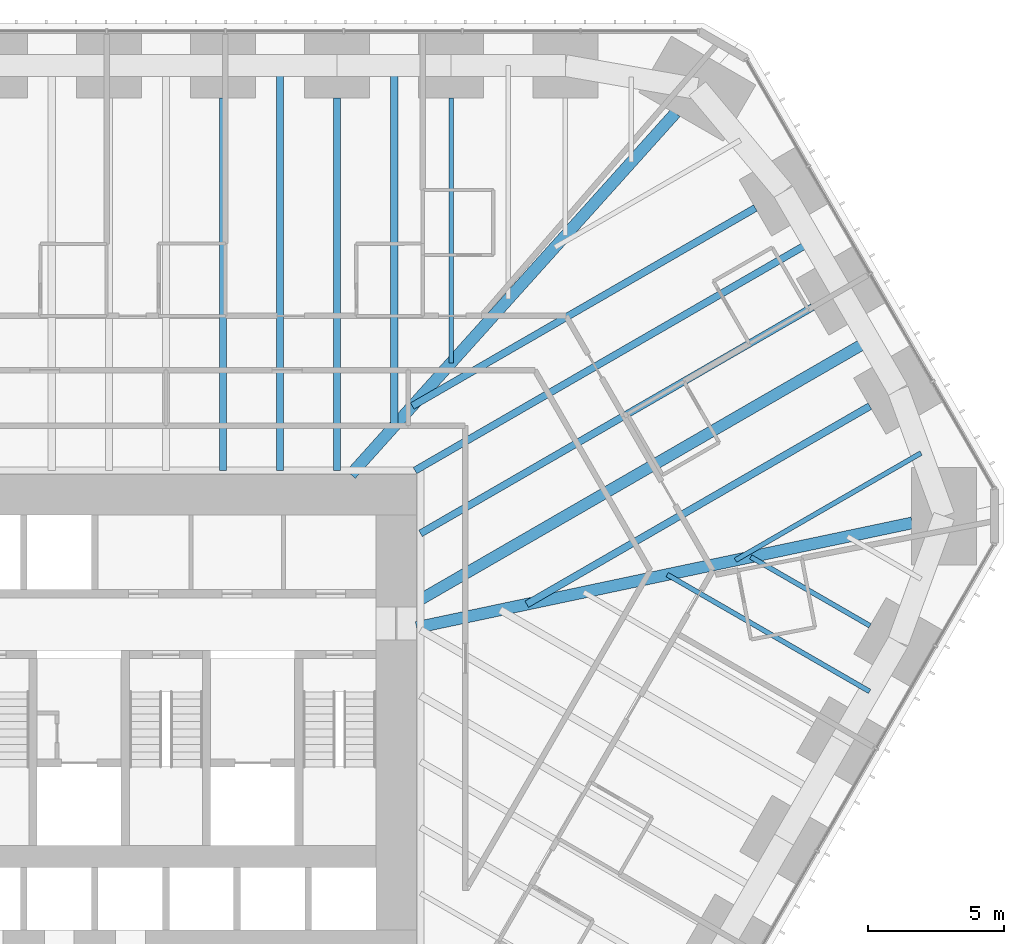
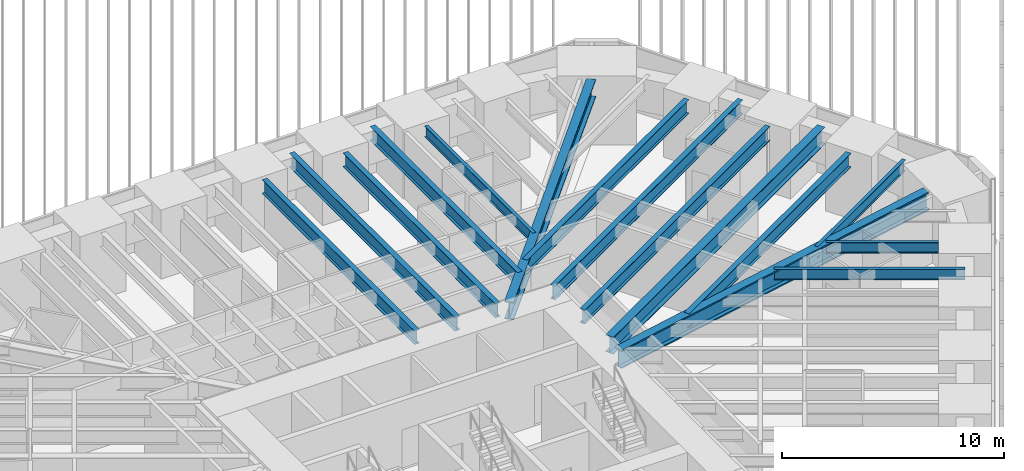
# One storey, part 192 of 256: 15 beams.
"""IFC4 building model written with IfcOpenShell, lengths in metres."""

from ifc_helpers import new_model, si_unit, direction, frame, origin, origin_2d, place, context, subcontext, project, spatial, i_section, extrude, material, material_profile, profile_set, type_object, element, save


model = new_model("IFC4")

# Units and contexts
model_context = context("Model", 3, precision=1e-05, world=origin(), true_north=direction((0.0, 1.0)))
body_context = subcontext(model_context, "Body", "Model", "MODEL_VIEW")
ifc_project = project(units=[si_unit("LENGTHUNIT", "METRE"), si_unit("AREAUNIT", "SQUARE_METRE"), si_unit("VOLUMEUNIT", "CUBIC_METRE"), si_unit("PLANEANGLEUNIT", "RADIAN"), si_unit("MASSUNIT", "GRAM", prefix="KILO")], contexts=[model_context])

# Site, building, storey
site_placement = place(None, origin())
site = spatial("IfcSite", under=ifc_project, at=site_placement, CompositionType="ELEMENT")
building_placement = place(site_placement, origin())
building = spatial("IfcBuilding", under=site, at=building_placement, Name="Sandreach Pilgrim Tower", CompositionType="ELEMENT")
storey_placement = place(building_placement, frame((0.0, 0.0, 23.0)))
storey = spatial("IfcBuildingStorey", under=building, at=storey_placement, Name="L04", CompositionType="ELEMENT", Elevation=23.0)

# Beams
ifc_material_1 = material(Name="Steel ASTM A992 Grade 50", Category="steel")
ifc_material_profile_1 = material_profile(ifc_material_1, i_section(OverallWidth=0.431884765625, OverallDepth=0.988037109375, WebThickness=0.034423828125, FlangeThickness=0.06201171875, at=origin_2d()), Name="W36X441")
ifc_profile_set_1 = profile_set([ifc_material_profile_1], Name="Steel ASTM A992 Grade 50")
beam_type_1 = type_object("IfcBeamType", Name="Corner girder W36X441", PredefinedType="BEAM", material=ifc_profile_set_1)
beam_1_placement = place(storey_placement, frame((18.8046875, 20.94189453125, 3.14599609375), z_axis=(-0.668127834846, -0.74404650144, 0.0), x_axis=(0.74404650144, -0.668127834846, 0.0)))
element("IfcBeam", 1, at=beam_1_placement, inside=storey, type_object=beam_type_1, Name="BM L04 CG09", PredefinedType="BEAM", context=body_context, shape_type="SweptSolid", body=[
    extrude(i_section(OverallWidth=0.431884765625, OverallDepth=0.988037109375, WebThickness=0.034423828125, FlangeThickness=0.06201171875, at=origin_2d()), origin(), (0.0, 0.0, 1.0), 17.931396484375),
])
ifc_material_2 = material(Name="Steel ASTM A992 Grade 50", Category="steel")
ifc_material_profile_2 = material_profile(ifc_material_2, i_section(OverallWidth=0.436767578125, OverallDepth=1.010986328125, WebThickness=0.040771484375, FlangeThickness=0.073974609375, at=origin_2d()), Name="W36X529")
ifc_profile_set_2 = profile_set([ifc_material_profile_2], Name="Steel ASTM A992 Grade 50")
beam_type_2 = type_object("IfcBeamType", Name="Corner girder W36X529", PredefinedType="BEAM", material=ifc_profile_set_2)
beam_2_placement = place(storey_placement, frame((27.53857421875, 5.814208984375, 3.134521484375), z_axis=(-0.978429884383, -0.206579189045, 0.0), x_axis=(0.206579189045, -0.978429884383, 0.0)))
element("IfcBeam", 2, at=beam_2_placement, inside=storey, type_object=beam_type_2, Name="BM L04 CG13", PredefinedType="BEAM", context=body_context, shape_type="SweptSolid", body=[
    extrude(i_section(OverallWidth=0.436767578125, OverallDepth=1.010986328125, WebThickness=0.040771484375, FlangeThickness=0.073974609375, at=origin_2d()), origin(), (0.0, 0.0, 1.0), 18.691650390625),
])
ifc_material_3 = material(Name="Steel ASTM A992 Grade 50", Category="steel")
ifc_material_profile_3 = material_profile(ifc_material_3, i_section(OverallWidth=0.1787109375, OverallDepth=0.60205078125, WebThickness=0.010986328125, FlangeThickness=0.014892578125, at=origin_2d()), Name="W24X62")
ifc_profile_set_3 = profile_set([ifc_material_profile_3], Name="Steel ASTM A992 Grade 50")
beam_type_3 = type_object("IfcBeamType", Name="Floor beam W24X62", PredefinedType="BEAM", material=ifc_profile_set_3)
beam_3_placement = place(storey_placement, frame((10.52490234375, 21.48876953125, 3.339111328125), z_axis=(0.0, -1.0, 0.0), x_axis=(1.0, 0.0, 0.0)))
element("IfcBeam", 3, at=beam_3_placement, inside=storey, type_object=beam_type_3, Name="BM L04 F07", PredefinedType="BEAM", context=body_context, shape_type="SweptSolid", body=[
    extrude(i_section(OverallWidth=0.1787109375, OverallDepth=0.60205078125, WebThickness=0.010986328125, FlangeThickness=0.014892578125, at=origin_2d()), origin(), (0.0, 0.0, 1.0), 9.767822265625),
])
beam_4_placement = place(storey_placement, frame((25.97705078125, 2.016357421875, 3.339111328125), z_axis=(-0.866027897259, 0.49999568115, 0.0), x_axis=(-0.49999568115, -0.866027897259, 0.0)))
element("IfcBeam", 4, at=beam_4_placement, inside=storey, type_object=beam_type_3, Name="BM L04 F14", PredefinedType="BEAM", context=body_context, shape_type="SweptSolid", body=[
    extrude(i_section(OverallWidth=0.1787109375, OverallDepth=0.60205078125, WebThickness=0.010986328125, FlangeThickness=0.014892578125, at=origin_2d()), origin(), (0.0, 0.0, 1.0), 5.0791015625),
])
beam_5_placement = place(storey_placement, frame((27.861328125, 8.390380859375, 3.339111328125), z_axis=(-0.866028778003, -0.499994155636, 0.0), x_axis=(0.499994155636, -0.866028778003, 0.0)))
element("IfcBeam", 5, at=beam_5_placement, inside=storey, type_object=beam_type_3, Name="BM L04 FM12", PredefinedType="BEAM", context=body_context, shape_type="SweptSolid", body=[
    extrude(i_section(OverallWidth=0.1787109375, OverallDepth=0.60205078125, WebThickness=0.010986328125, FlangeThickness=0.014892578125, at=origin_2d()), origin(), (0.0, 0.0, 1.0), 7.90771484375),
])
beam_6_placement = place(storey_placement, frame((25.9638671875, -0.40673828125, 3.339111328125), z_axis=(-0.866020100198, 0.500009185969, 0.0), x_axis=(-0.500009185969, -0.866020100198, 0.0)))
element("IfcBeam", 6, at=beam_6_placement, inside=storey, type_object=beam_type_3, Name="BM L04 FM14", PredefinedType="BEAM", context=body_context, shape_type="SweptSolid", body=[
    extrude(i_section(OverallWidth=0.1787109375, OverallDepth=0.60205078125, WebThickness=0.010986328125, FlangeThickness=0.014892578125, at=origin_2d()), origin(), (0.0, 0.0, 1.0), 8.623291015625),
])
ifc_material_4 = material(Name="Steel ASTM A992 Grade 50", Category="steel")
ifc_material_profile_4 = material_profile(ifc_material_4, i_section(OverallWidth=0.2666015625, OverallDepth=0.761962890625, WebThickness=0.014404296875, FlangeThickness=0.021484375, at=origin_2d()), Name="W30X116")
ifc_profile_set_4 = profile_set([ifc_material_profile_4], Name="Steel ASTM A992 Grade 50")
beam_type_4 = type_object("IfcBeamType", Name="Floor beam W30X116", PredefinedType="BEAM", material=ifc_profile_set_4)
for number, where, z_axis, x_axis, name in (
    (7, (2.10498046875, 21.48876953125, 3.259033203125), (0.0, -1.0, 0.0), (1.0, 0.0, 0.0), "BM L04 F05"),
    (8, (6.31494140625, 21.48876953125, 3.259033203125), (0.0, -1.0, 0.0), (1.0, 0.0, 0.0), "BM L04 F06"),
):
    element("IfcBeam", number, at=place(storey_placement, frame(where, z_axis=z_axis, x_axis=x_axis)), inside=storey, type_object=beam_type_4, Name=name, PredefinedType="BEAM", context=body_context, shape_type="SweptSolid", body=[
        extrude(i_section(OverallWidth=0.2666015625, OverallDepth=0.761962890625, WebThickness=0.014404296875, FlangeThickness=0.021484375, at=origin_2d()), origin(), (0.0, 0.0, 1.0), 13.745361328125),
    ])
for number, where, z_axis, x_axis, name in (
    (9, (21.74853515625, 17.43212890625, 3.259033203125), (-0.866020355572, -0.500008743658, 0.0), (0.500008743658, -0.866020355572, 0.0), "BM L04 F10"),
    (10, (25.970947265625, 10.118896484375, 3.259033203125), (-0.866020355572, -0.500008743658, 0.0), (0.500008743658, -0.866020355572, 0.0), "BM L04 F12"),
):
    element("IfcBeam", number, at=place(storey_placement, frame(where, z_axis=z_axis, x_axis=x_axis)), inside=storey, type_object=beam_type_4, Name=name, PredefinedType="BEAM", context=body_context, shape_type="SweptSolid", body=[
        extrude(i_section(OverallWidth=0.2666015625, OverallDepth=0.761962890625, WebThickness=0.014404296875, FlangeThickness=0.021484375, at=origin_2d()), origin(), (0.0, 0.0, 1.0), 14.615966796875),
    ])
beam_7_placement = place(storey_placement, frame((4.2099609375, 22.688720703125, 3.259033203125), z_axis=(0.0, -1.0, 0.0), x_axis=(1.0, 0.0, 0.0)))
element("IfcBeam", 11, at=beam_7_placement, inside=storey, type_object=beam_type_4, Name="BM L04 FM05", PredefinedType="BEAM", context=body_context, shape_type="SweptSolid", body=[
    extrude(i_section(OverallWidth=0.2666015625, OverallDepth=0.761962890625, WebThickness=0.014404296875, FlangeThickness=0.021484375, at=origin_2d()), origin(), (0.0, 0.0, 1.0), 14.9453125),
])
beam_8_placement = place(storey_placement, frame((8.419921875, 22.688720703125, 3.259033203125), z_axis=(0.0, -1.0, 0.0), x_axis=(1.0, 0.0, 0.0)))
element("IfcBeam", 12, at=beam_8_placement, inside=storey, type_object=beam_type_4, Name="BM L04 FM06", PredefinedType="BEAM", context=body_context, shape_type="SweptSolid", body=[
    extrude(i_section(OverallWidth=0.2666015625, OverallDepth=0.761962890625, WebThickness=0.014404296875, FlangeThickness=0.021484375, at=origin_2d()), origin(), (0.0, 0.0, 1.0), 13.311767578125),
])
ifc_material_5 = material(Name="Steel ASTM A992 Grade 50", Category="steel")
ifc_material_profile_5 = material_profile(ifc_material_5, i_section(OverallWidth=0.2666015625, OverallDepth=0.77978515625, WebThickness=0.0166015625, FlangeThickness=0.030029296875, at=origin_2d()), Name="W30X148")
ifc_profile_set_5 = profile_set([ifc_material_profile_5], Name="Steel ASTM A992 Grade 50")
beam_type_5 = type_object("IfcBeamType", Name="Floor beam W30X148", PredefinedType="BEAM", material=ifc_profile_set_5)
beam_9_placement = place(storey_placement, frame((23.85986328125, 13.775390625, 3.25), z_axis=(-0.866031037473, -0.499990242038, 0.0), x_axis=(0.499990242038, -0.866031037473, 0.0)))
element("IfcBeam", 13, at=beam_9_placement, inside=storey, type_object=beam_type_5, Name="BM L04 F11", PredefinedType="BEAM", context=body_context, shape_type="SweptSolid", body=[
    extrude(i_section(OverallWidth=0.2666015625, OverallDepth=0.77978515625, WebThickness=0.0166015625, FlangeThickness=0.030029296875, at=origin_2d()), origin(), (0.0, 0.0, 1.0), 16.704345703125),
])
beam_10_placement = place(storey_placement, frame((23.843505859375, 16.203857421875, 3.25), z_axis=(-0.866027248123, -0.499996805499, 0.0), x_axis=(0.499996805499, -0.866027248123, 0.0)))
element("IfcBeam", 14, at=beam_10_placement, inside=storey, type_object=beam_type_5, Name="BM L04 FM10", PredefinedType="BEAM", context=body_context, shape_type="SweptSolid", body=[
    extrude(i_section(OverallWidth=0.2666015625, OverallDepth=0.77978515625, WebThickness=0.0166015625, FlangeThickness=0.030029296875, at=origin_2d()), origin(), (0.0, 0.0, 1.0), 16.9208984375),
])
ifc_material_6 = material(Name="Steel ASTM A992 Grade 50", Category="steel")
ifc_material_profile_6 = material_profile(ifc_material_6, i_section(OverallWidth=0.419189453125, OverallDepth=0.927001953125, WebThickness=0.019287109375, FlangeThickness=0.031982421875, at=origin_2d()), Name="W36X231")
ifc_profile_set_6 = profile_set([ifc_material_profile_6], Name="Steel ASTM A992 Grade 50")
beam_type_6 = type_object("IfcBeamType", Name="Floor beam W36X231", PredefinedType="BEAM", material=ifc_profile_set_6)
beam_11_placement = place(storey_placement, frame((25.95458984375, 12.547119140625, 3.176513671875), z_axis=(-0.866028474707, -0.499994680968, 0.0), x_axis=(0.499994680968, -0.866028474707, 0.0)))
element("IfcBeam", 15, at=beam_11_placement, inside=storey, type_object=beam_type_6, Name="BM L04 FM11", PredefinedType="BEAM", context=body_context, shape_type="SweptSolid", body=[
    extrude(i_section(OverallWidth=0.419189453125, OverallDepth=0.927001953125, WebThickness=0.019287109375, FlangeThickness=0.031982421875, at=origin_2d()), origin(), (0.0, 0.0, 1.0), 19.123291015625),
])

save(model, "model.ifc")
